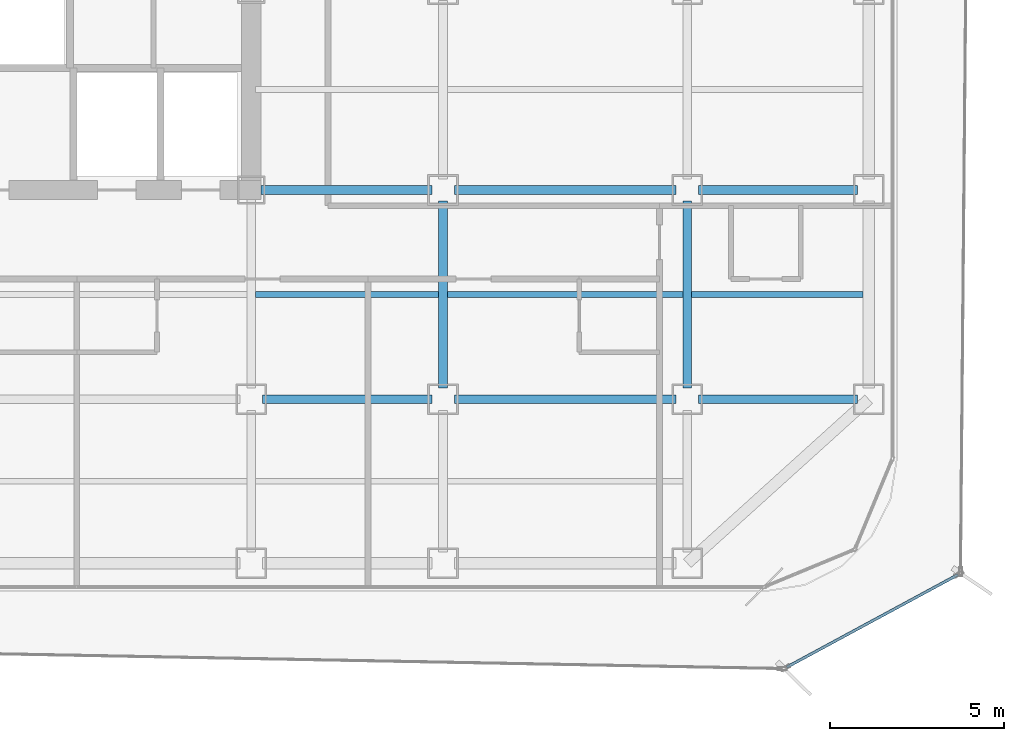
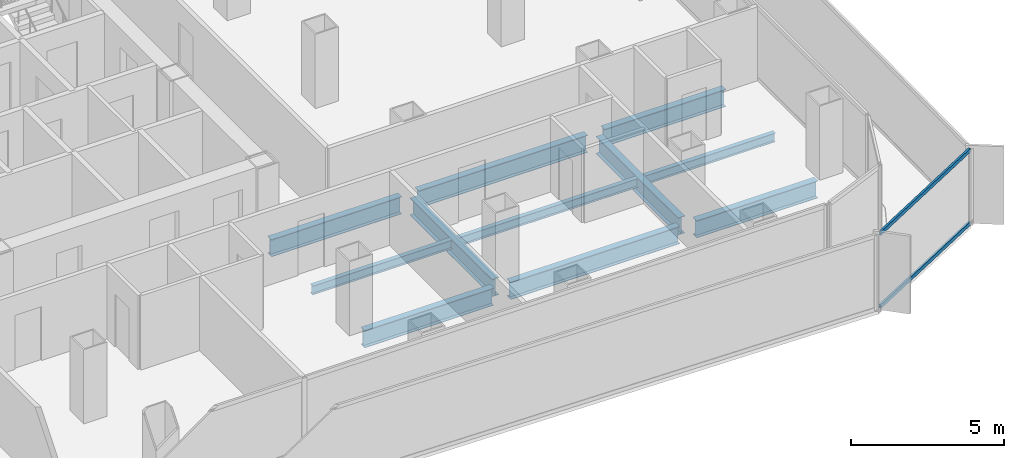
# One storey, part 7 of 21: 11 beams, 2 members, 1 element without a shape of its own.
"""IFC4 building model written with IfcOpenShell, lengths in metres."""

from ifc_helpers import new_model, si_unit, direction, frame, origin, origin_2d, place, context, subcontext, project, spatial, hollow_rectangle, i_section, extrude, source, transform, mapped, material, layer, layer_set, material_profile, profile_set, type_object, element, aggregate, save


model = new_model("IFC4")

# Units and contexts
model_context = context("Model", 3, precision=1e-05, world=origin(), true_north=direction((0.0, 1.0)))
body_context = subcontext(model_context, "Body", "Model", "MODEL_VIEW")
ifc_project = project(units=[si_unit("LENGTHUNIT", "METRE"), si_unit("AREAUNIT", "SQUARE_METRE"), si_unit("VOLUMEUNIT", "CUBIC_METRE"), si_unit("PLANEANGLEUNIT", "RADIAN"), si_unit("MASSUNIT", "GRAM", prefix="KILO")], contexts=[model_context])

# Site, building, storey
site_placement = place(None, origin())
site = spatial("IfcSite", under=ifc_project, at=site_placement, CompositionType="ELEMENT")
building_placement = place(site_placement, origin())
building = spatial("IfcBuilding", under=site, at=building_placement, Name="Kolveth Station Tower", CompositionType="ELEMENT")
storey_placement = place(building_placement, frame((0.0, 0.0, 95.89990234375)))
storey = spatial("IfcBuildingStorey", under=building, at=storey_placement, Name="L25", CompositionType="ELEMENT", Elevation=95.89990234375)

# Beams
ifc_material_1 = material(Name="Steel S355", Category="steel")
ifc_material_profile_1 = material_profile(ifc_material_1, i_section(OverallWidth=0.25390625, OverallDepth=0.68798828125, WebThickness=0.01318359375, FlangeThickness=0.02099609375, at=origin_2d()), Name="W690x152")
ifc_profile_set_1 = profile_set([ifc_material_profile_1], Name="Steel S355")
beam_type_1 = type_object("IfcBeamType", Name="Beam_B4", PredefinedType="BEAM", material=ifc_profile_set_1)
shared_shape_1 = source(origin(), body_context, "Body", "SweptSolid", [
    extrude(i_section(OverallWidth=0.25390625, OverallDepth=0.68798828125, WebThickness=0.01318359375, FlangeThickness=0.02099609375, at=origin_2d()), origin(), (0.0, 0.0, 1.0), 4.559814453125),
])
for number, where, z_axis, x_axis, name in (
    (1, (41.320068359375, 5.5, -0.593994140625), (1.0, 0.0, 0.0), (0.0, 1.0, 0.0), "L25 Primary Girder BM-L25-GY55-7"),
    (2, (41.320068359375, 11.5, -0.593994140625), (1.0, 0.0, 0.0), (0.0, 1.0, 0.0), "L25 Primary Girder BM-L25-GY115-7"),
):
    element("IfcBeam", number, at=place(storey_placement, frame(where, z_axis=z_axis, x_axis=x_axis)), inside=storey, type_object=beam_type_1, Name=name, PredefinedType="BEAM", context=body_context, shape_type="MappedRepresentation", body=[
        mapped(shared_shape_1, transform((0.0, 0.0, 0.0), x_axis=(1.0, 0.0, 0.0), y_axis=(0.0, 1.0, 0.0), z_axis=(0.0, 0.0, 1.0), scale=1.0)),
    ])
shared_shape_2 = source(origin(), body_context, "Body", "SweptSolid", [
    extrude(i_section(OverallWidth=0.25390625, OverallDepth=0.68798828125, WebThickness=0.01318359375, FlangeThickness=0.02099609375, at=origin_2d()), origin(), (0.0, 0.0, 1.0), 6.35986328125),
])
for number, where, z_axis, x_axis, name in (
    (3, (34.320068359375, 5.5, -0.593994140625), (1.0, 0.0, 0.0), (0.0, 1.0, 0.0), "L25 Primary Girder BM-L25-GY55-6"),
    (4, (34.320068359375, 11.5, -0.593994140625), (1.0, 0.0, 0.0), (0.0, 1.0, 0.0), "L25 Primary Girder BM-L25-GY115-6"),
):
    element("IfcBeam", number, at=place(storey_placement, frame(where, z_axis=z_axis, x_axis=x_axis)), inside=storey, type_object=beam_type_1, Name=name, PredefinedType="BEAM", context=body_context, shape_type="MappedRepresentation", body=[
        mapped(shared_shape_2, transform((0.0, 0.0, 0.0), x_axis=(1.0, 0.0, 0.0), y_axis=(0.0, 1.0, 0.0), z_axis=(0.0, 0.0, 1.0), scale=1.0)),
    ])
shared_shape_3 = source(origin(), body_context, "Body", "SweptSolid", [
    extrude(i_section(OverallWidth=0.25390625, OverallDepth=0.68798828125, WebThickness=0.01318359375, FlangeThickness=0.02099609375, at=origin_2d()), origin(), (0.0, 0.0, 1.0), 4.85986328125),
])
beam_1_placement = place(storey_placement, frame((28.820068359375, 5.5, -0.593994140625), z_axis=(1.0, 0.0, 0.0), x_axis=(0.0, 1.0, 0.0)))
element("IfcBeam", 5, at=beam_1_placement, inside=storey, type_object=beam_type_1, Name="L25 Primary Girder BM-L25-GY55-5", PredefinedType="BEAM", context=body_context, shape_type="MappedRepresentation", body=[
    mapped(shared_shape_3, transform((0.0, 0.0, 0.0), x_axis=(1.0, 0.0, 0.0), y_axis=(0.0, 1.0, 0.0), z_axis=(0.0, 0.0, 1.0), scale=1.0)),
])
shared_shape_4 = source(origin(), body_context, "Body", "SweptSolid", [
    extrude(i_section(OverallWidth=0.25390625, OverallDepth=0.68798828125, WebThickness=0.01318359375, FlangeThickness=0.02099609375, at=origin_2d()), origin(), (0.0, 0.0, 1.0), 4.89990234375),
])
beam_2_placement = place(storey_placement, frame((28.780029296875, 11.5, -0.593994140625), z_axis=(1.0, 0.0, 0.0), x_axis=(0.0, 1.0, 0.0)))
element("IfcBeam", 6, at=beam_2_placement, inside=storey, type_object=beam_type_1, Name="L25 Primary Girder BM-L25-GY115-5", PredefinedType="BEAM", context=body_context, shape_type="MappedRepresentation", body=[
    mapped(shared_shape_4, transform((0.0, 0.0, 0.0), x_axis=(1.0, 0.0, 0.0), y_axis=(0.0, 1.0, 0.0), z_axis=(0.0, 0.0, 1.0), scale=1.0)),
])
shared_shape_5 = source(origin(), body_context, "Body", "SweptSolid", [
    extrude(i_section(OverallWidth=0.25390625, OverallDepth=0.68798828125, WebThickness=0.01318359375, FlangeThickness=0.02099609375, at=origin_2d()), origin(), (0.0, 0.0, 1.0), 5.35986328125),
])
for number, where, z_axis, x_axis, name in (
    (7, (34.0, 5.820068359375, -0.593994140625), (0.0, 1.0, 0.0), (-1.0, 0.0, 0.0), "L25 Primary Girder BM-L25-GX340-2"),
    (8, (41.0, 5.820068359375, -0.593994140625), (0.0, 1.0, 0.0), (-1.0, 0.0, 0.0), "L25 Primary Girder BM-L25-GX410-2"),
):
    element("IfcBeam", number, at=place(storey_placement, frame(where, z_axis=z_axis, x_axis=x_axis)), inside=storey, type_object=beam_type_1, Name=name, PredefinedType="BEAM", context=body_context, shape_type="MappedRepresentation", body=[
        mapped(shared_shape_5, transform((0.0, 0.0, 0.0), x_axis=(1.0, 0.0, 0.0), y_axis=(0.0, 1.0, 0.0), z_axis=(0.0, 0.0, 1.0), scale=1.0)),
    ])
ifc_material_profile_2 = material_profile(ifc_material_1, i_section(OverallWidth=0.1708984375, OverallDepth=0.35205078125, WebThickness=0.0068359375, FlangeThickness=0.009765625, at=origin_2d()), Name="W360x44")
ifc_profile_set_2 = profile_set([ifc_material_profile_2], Name="Steel S355")
beam_type_2 = type_object("IfcBeamType", Name="Beam_J2", PredefinedType="JOIST", material=ifc_profile_set_2)
shared_shape_6 = source(origin(), body_context, "Body", "SweptSolid", [
    extrude(i_section(OverallWidth=0.1708984375, OverallDepth=0.35205078125, WebThickness=0.0068359375, FlangeThickness=0.009765625, at=origin_2d()), origin(), (0.0, 0.0, 1.0), 4.9150390625),
])
beam_3_placement = place(storey_placement, frame((41.125, 8.5, -0.42578125), z_axis=(1.0, 0.0, 0.0), x_axis=(0.0, 1.0, 0.0)))
element("IfcBeam", 9, at=beam_3_placement, inside=storey, type_object=beam_type_2, Name="L25 Secondary Joist JST-L25-7-2", PredefinedType="JOIST", context=body_context, shape_type="MappedRepresentation", body=[
    mapped(shared_shape_6, transform((0.0, 0.0, 0.0), x_axis=(1.0, 0.0, 0.0), y_axis=(0.0, 1.0, 0.0), z_axis=(0.0, 0.0, 1.0), scale=1.0)),
])
shared_shape_7 = source(origin(), body_context, "Body", "SweptSolid", [
    extrude(i_section(OverallWidth=0.1708984375, OverallDepth=0.35205078125, WebThickness=0.0068359375, FlangeThickness=0.009765625, at=origin_2d()), origin(), (0.0, 0.0, 1.0), 6.75),
])
beam_4_placement = place(storey_placement, frame((34.125, 8.5, -0.42578125), z_axis=(1.0, 0.0, 0.0), x_axis=(0.0, 1.0, 0.0)))
element("IfcBeam", 10, at=beam_4_placement, inside=storey, type_object=beam_type_2, Name="L25 Secondary Joist JST-L25-6-2", PredefinedType="JOIST", context=body_context, shape_type="MappedRepresentation", body=[
    mapped(shared_shape_7, transform((0.0, 0.0, 0.0), x_axis=(1.0, 0.0, 0.0), y_axis=(0.0, 1.0, 0.0), z_axis=(0.0, 0.0, 1.0), scale=1.0)),
])
shared_shape_8 = source(origin(), body_context, "Body", "SweptSolid", [
    extrude(i_section(OverallWidth=0.1708984375, OverallDepth=0.35205078125, WebThickness=0.0068359375, FlangeThickness=0.009765625, at=origin_2d()), origin(), (0.0, 0.0, 1.0), 5.25),
])
beam_5_placement = place(storey_placement, frame((28.625, 8.5, -0.42578125), z_axis=(1.0, 0.0, 0.0), x_axis=(0.0, 1.0, 0.0)))
element("IfcBeam", 11, at=beam_5_placement, inside=storey, type_object=beam_type_2, Name="L25 Secondary Joist JST-L25-5-2", PredefinedType="JOIST", context=body_context, shape_type="MappedRepresentation", body=[
    mapped(shared_shape_8, transform((0.0, 0.0, 0.0), x_axis=(1.0, 0.0, 0.0), y_axis=(0.0, 1.0, 0.0), z_axis=(0.0, 0.0, 1.0), scale=1.0)),
])

# Curtain wall, members
ifc_material_2 = material(Name="Black anodized aluminium 6063-T6 and dark solar glass", Category="aluminium")
ifc_layer = layer(ifc_material_2, 0.159912109375)
ifc_layer_set = layer_set([ifc_layer], Name="Black anodized aluminium 6063-T6 and dark solar glass")
curtain_wall_type = type_object("IfcCurtainWallType", Name="OUTER SKIN CW-OS", PredefinedType="NOTDEFINED", material=ifc_layer_set)
curtain_wall_placement = place(storey_placement, origin())
curtain_wall = element("IfcCurtainWall", 12, at=curtain_wall_placement, inside=storey, type_object=curtain_wall_type, Name="L25 Outer Ventilated Skin Curtain Wall 1", PredefinedType="NOTDEFINED")
ifc_material_3 = material(Name="Black anodized aluminium 6063-T6", Category="aluminium")
ifc_material_profile_3 = material_profile(ifc_material_3, hollow_rectangle(XDim=0.080078125, YDim=0.14990234375, WallThickness=0.0048828125, at=origin_2d()), Name="ALU-80x150x5")
ifc_profile_set_3 = profile_set([ifc_material_profile_3], Name="Black anodized aluminium 6063-T6")
member_type = type_object("IfcMemberType", Name="Transom_TR-OS", PredefinedType="USERDEFINED", material=ifc_profile_set_3)
shared_shape_9 = source(origin(), body_context, "Body", "SweptSolid", [
    extrude(hollow_rectangle(XDim=0.080078125, YDim=0.14990234375, WallThickness=0.0048828125, at=origin_2d()), origin(), (0.0, 0.0, 1.0), 5.572021484375),
])
member_1_placement = place(storey_placement, frame((43.851806640625, -2.180908203125, 0.0400390625), z_axis=(0.879770903605, 0.475397893526, 0.0), x_axis=(-0.475397893526, 0.879770903605, 0.0)))
member_1 = element("IfcMember", 13, at=member_1_placement, type_object=member_type, Name="CW-OS transom 1.1", ObjectType="TRANSOM", PredefinedType="USERDEFINED", context=body_context, shape_type="MappedRepresentation", body=[
    mapped(shared_shape_9, transform((0.0, 0.0, 0.0), x_axis=(1.0, 0.0, 0.0), y_axis=(0.0, 1.0, 0.0), z_axis=(0.0, 0.0, 1.0), scale=1.0)),
])
member_2_placement = place(storey_placement, frame((43.851806640625, -2.180908203125, 2.9501953125), z_axis=(0.879770903605, 0.475397893526, 0.0), x_axis=(-0.475397893526, 0.879770903605, 0.0)))
member_2 = element("IfcMember", 14, at=member_2_placement, type_object=member_type, Name="CW-OS transom 1.2", ObjectType="TRANSOM", PredefinedType="USERDEFINED", context=body_context, shape_type="MappedRepresentation", body=[
    mapped(shared_shape_9, transform((0.0, 0.0, 0.0), x_axis=(1.0, 0.0, 0.0), y_axis=(0.0, 1.0, 0.0), z_axis=(0.0, 0.0, 1.0), scale=1.0)),
])
aggregate(curtain_wall, [member_1, member_2])

save(model, "model.ifc")
